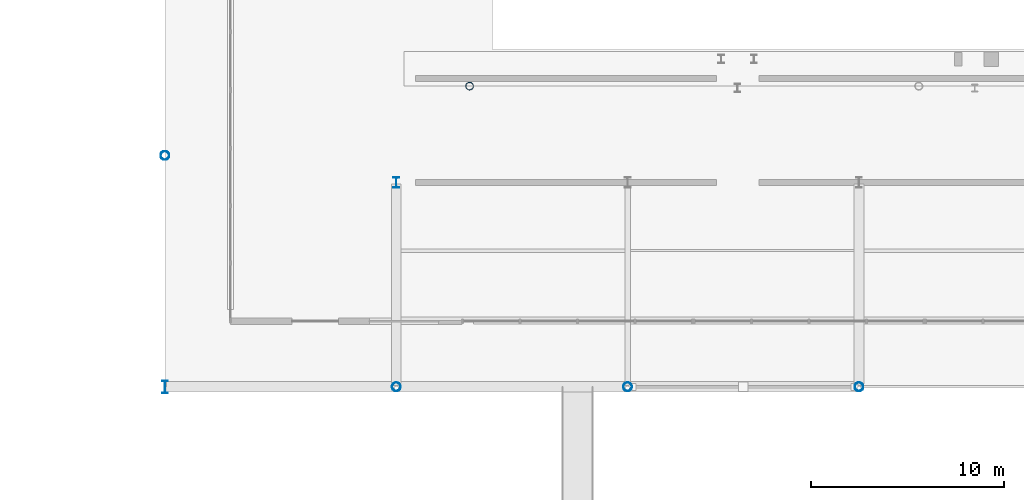
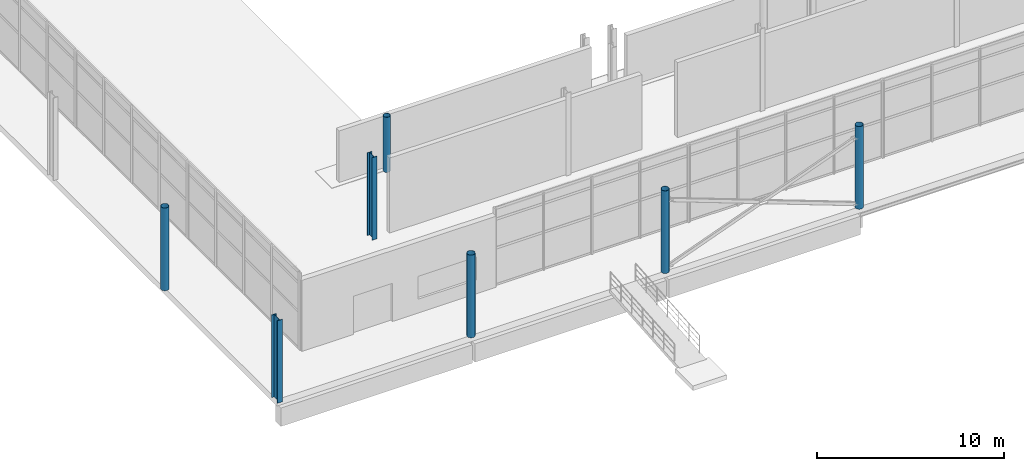
# One storey, part 1 of 85: 7 columns.
"""IFC4 building model written with IfcOpenShell, lengths in metres."""

from ifc_helpers import new_model, si_unit, direction, frame, origin, origin_2d, place, context, subcontext, project, spatial, hollow_circle, i_section, extrude, material, material_profile, profile_set, type_object, element, save


model = new_model("IFC4")

# Units and contexts
model_context = context("Model", 3, precision=1e-05, world=origin(), true_north=direction((0.0, 1.0)))
body_context = subcontext(model_context, "Body", "Model", "MODEL_VIEW")
ifc_project = project(units=[si_unit("LENGTHUNIT", "METRE"), si_unit("AREAUNIT", "SQUARE_METRE"), si_unit("VOLUMEUNIT", "CUBIC_METRE"), si_unit("PLANEANGLEUNIT", "RADIAN"), si_unit("MASSUNIT", "GRAM", prefix="KILO"), si_unit("THERMODYNAMICTEMPERATUREUNIT", "KELVIN"), si_unit("POWERUNIT", "WATT")], contexts=[model_context])

# Site, building, storey
site_placement = place(None, origin())
site = spatial("IfcSite", under=ifc_project, at=site_placement, CompositionType="ELEMENT")
building_placement = place(site_placement, origin())
building = spatial("IfcBuilding", under=site, at=building_placement, Name="Solmara Park Aquatics Centre", CompositionType="ELEMENT")
storey_placement = place(building_placement, origin())
storey = spatial("IfcBuildingStorey", under=building, at=storey_placement, Name="L00", CompositionType="ELEMENT", Elevation=0.0)

# Columns
ifc_material = material(Name="Structural Steel S355", Category="steel")
ifc_material_profile_1 = material_profile(ifc_material, hollow_circle(Radius=0.203125, WallThickness=0.01611328125, at=origin_2d()), Name="CHS 406.4x16")
ifc_profile_set_1 = profile_set([ifc_material_profile_1], Name="Structural Steel S355")
column_type_1 = type_object("IfcColumnType", Name="STR-COL-CHS406", PredefinedType="COLUMN", material=ifc_profile_set_1)
column_1_placement = place(storey_placement, frame((28.39990234375, 28.199951171875, 0.0), z_axis=(0.0, 0.0, 1.0), x_axis=(1.0, 0.0, 0.0)))
element("IfcColumn", 1, at=column_1_placement, inside=storey, type_object=column_type_1, Name="Upper Stand Front Column L00 S1-1", PredefinedType="COLUMN", context=body_context, shape_type="SweptSolid", body=[
    extrude(hollow_circle(Radius=0.203125, WallThickness=0.01611328125, at=origin_2d()), origin(), (0.0, 0.0, 1.0), 3.60009765625),
])
ifc_material_profile_2 = material_profile(ifc_material, hollow_circle(Radius=0.228515625, WallThickness=0.01611328125, at=origin_2d()), Name="CHS 457x16")
ifc_profile_set_2 = profile_set([ifc_material_profile_2], Name="Structural Steel S355")
column_type_2 = type_object("IfcColumnType", Name="STR-COL-CHS457", PredefinedType="COLUMN", material=ifc_profile_set_2)
for number, where, z_axis, x_axis, name in (
    (2, (12.60009765625, 24.60009765625, 0.0), (0.0, 0.0, 1.0), (1.0, 0.0, 0.0), "Column L00-0161"),
    (3, (24.60009765625, 12.60009765625, 0.0), (0.0, 0.0, 1.0), (1.0, 0.0, 0.0), "Column L00-0169"),
    (4, (36.60009765625, 12.60009765625, 0.0), (0.0, 0.0, 1.0), (1.0, 0.0, 0.0), "Column L00-0179"),
    (5, (48.60009765625, 12.60009765625, 0.0), (0.0, 0.0, 1.0), (1.0, 0.0, 0.0), "Column L00-0189"),
):
    element("IfcColumn", number, at=place(storey_placement, frame(where, z_axis=z_axis, x_axis=x_axis)), inside=storey, type_object=column_type_2, Name=name, PredefinedType="COLUMN", context=body_context, shape_type="SweptSolid", body=[
        extrude(hollow_circle(Radius=0.228515625, WallThickness=0.01611328125, at=origin_2d()), origin(), (0.0, 0.0, 1.0), 5.39990234375),
    ])
ifc_material_profile_3 = material_profile(ifc_material, i_section(OverallWidth=0.300048828125, OverallDepth=0.550048828125, WebThickness=0.014892578125, FlangeThickness=0.029052734375, FilletRadius=0.027099609375, at=origin_2d()), Name="HEB 550")
ifc_profile_set_3 = profile_set([ifc_material_profile_3], Name="Structural Steel S355")
column_type_3 = type_object("IfcColumnType", Name="STR-COL-HEB550", PredefinedType="COLUMN", material=ifc_profile_set_3)
column_2_placement = place(storey_placement, frame((24.60009765625, 23.199951171875, 0.0), z_axis=(0.0, 0.0, 1.0), x_axis=(1.0, 0.0, 0.0)))
element("IfcColumn", 6, at=column_2_placement, inside=storey, type_object=column_type_3, Name="Column L00-0170", PredefinedType="COLUMN", context=body_context, shape_type="SweptSolid", body=[
    extrude(i_section(OverallWidth=0.300048828125, OverallDepth=0.550048828125, WebThickness=0.014892578125, FlangeThickness=0.029052734375, FilletRadius=0.027099609375, at=origin_2d()), origin(), (0.0, 0.0, 1.0), 5.39990234375),
])
ifc_material_profile_4 = material_profile(ifc_material, i_section(OverallWidth=0.300048828125, OverallDepth=0.64990234375, WebThickness=0.01611328125, FlangeThickness=0.031005859375, FilletRadius=0.027099609375, at=origin_2d()), Name="HEB 650")
ifc_profile_set_4 = profile_set([ifc_material_profile_4], Name="Structural Steel S355")
column_type_4 = type_object("IfcColumnType", Name="STR-COL-HEB650", PredefinedType="COLUMN", material=ifc_profile_set_4)
column_3_placement = place(storey_placement, frame((12.60009765625, 12.60009765625, 0.0), z_axis=(0.0, 0.0, 1.0), x_axis=(1.0, 0.0, 0.0)))
element("IfcColumn", 7, at=column_3_placement, inside=storey, type_object=column_type_4, Name="Column L00-0160", PredefinedType="COLUMN", context=body_context, shape_type="SweptSolid", body=[
    extrude(i_section(OverallWidth=0.300048828125, OverallDepth=0.64990234375, WebThickness=0.01611328125, FlangeThickness=0.031005859375, FilletRadius=0.027099609375, at=origin_2d()), origin(), (0.0, 0.0, 1.0), 5.39990234375),
])

save(model, "model.ifc")
